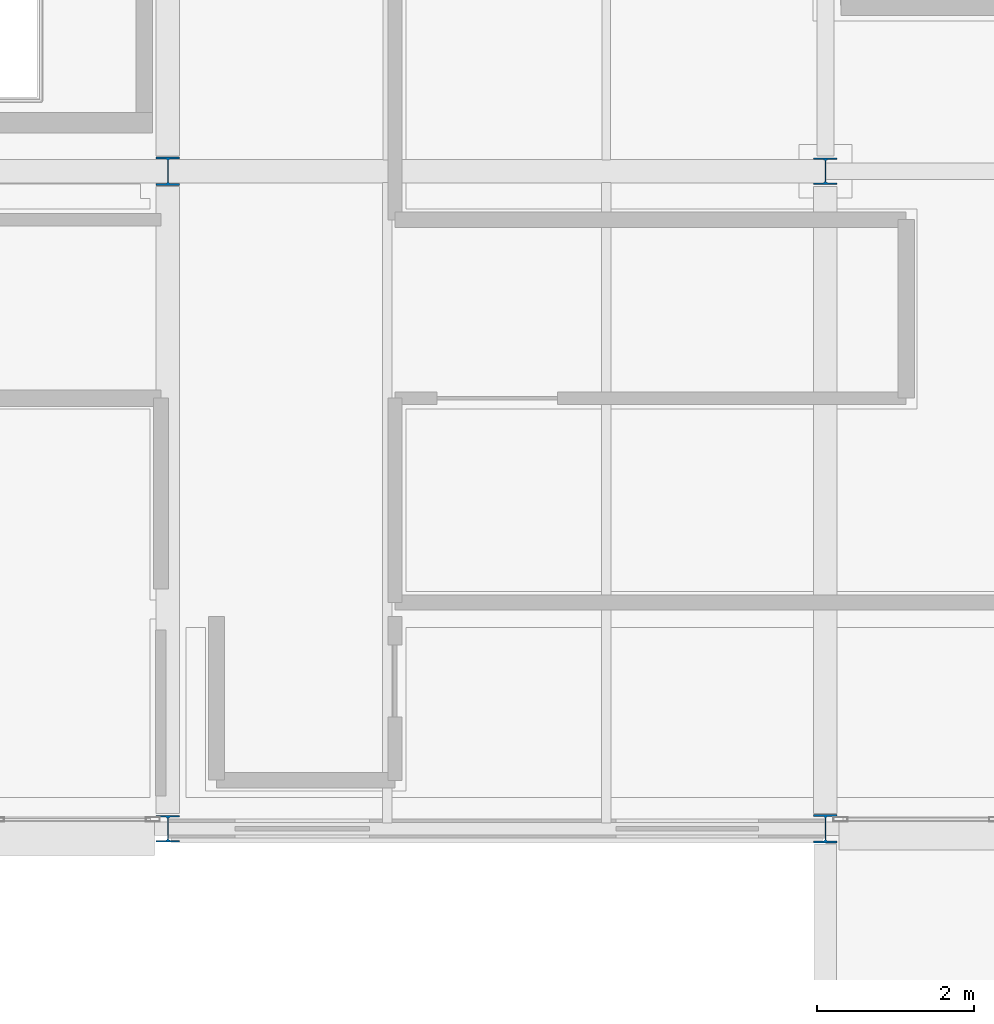
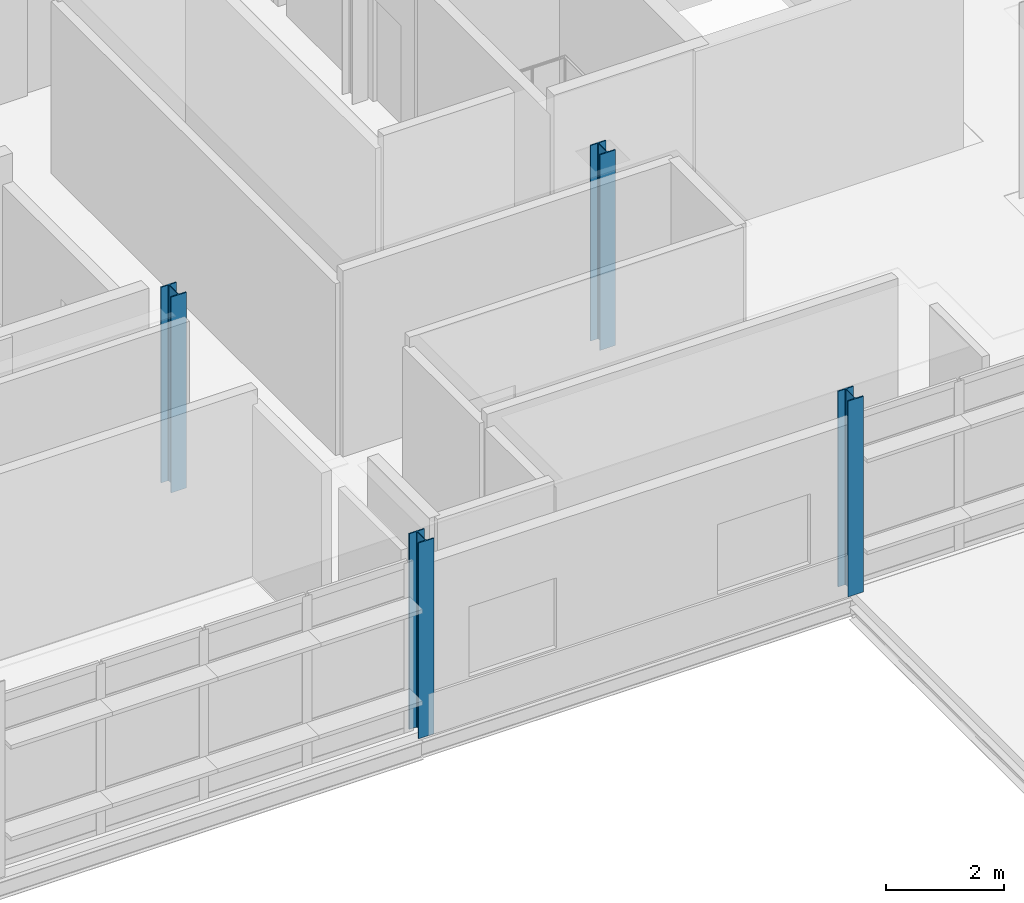
# One storey, part 3 of 57: 4 columns.
"""IFC4 building model written with IfcOpenShell, lengths in metres."""

from ifc_helpers import new_model, si_unit, direction, frame, origin, origin_2d, place, context, subcontext, project, spatial, i_section, extrude, material, material_profile, profile_set, type_object, element, save


model = new_model("IFC4")

# Units and contexts
model_context = context("Model", 3, precision=1e-05, world=origin(), true_north=direction((0.0, 1.0)))
body_context = subcontext(model_context, "Body", "Model", "MODEL_VIEW")
ifc_project = project(units=[si_unit("LENGTHUNIT", "METRE"), si_unit("AREAUNIT", "SQUARE_METRE"), si_unit("VOLUMEUNIT", "CUBIC_METRE"), si_unit("PLANEANGLEUNIT", "RADIAN"), si_unit("MASSUNIT", "GRAM", prefix="KILO")], contexts=[model_context])

# Site, building, storey
site_placement = place(None, origin())
site = spatial("IfcSite", under=ifc_project, at=site_placement, CompositionType="ELEMENT")
building_placement = place(site_placement, origin())
building = spatial("IfcBuilding", under=site, at=building_placement, Name="Mersafa Astral City Hall", CompositionType="ELEMENT")
storey_placement = place(building_placement, frame((0.0, 0.0, 26.10009765625)))
storey = spatial("IfcBuildingStorey", under=building, at=storey_placement, Name="L06", CompositionType="ELEMENT", Elevation=26.10009765625)

# Columns
ifc_material = material(Name="Steel S355", Category="steel")
ifc_material_profile_1 = material_profile(ifc_material, i_section(OverallWidth=0.300048828125, OverallDepth=0.340087890625, WebThickness=0.011962890625, FlangeThickness=0.021484375, FilletRadius=0.027099609375, at=origin_2d()), Name="HEB 340")
ifc_profile_set_1 = profile_set([ifc_material_profile_1], Name="Steel S355")
column_type_1 = type_object("IfcColumnType", Name="STR-COL-HEB340", PredefinedType="COLUMN", material=ifc_profile_set_1)
for number, where, z_axis, x_axis, name in (
    (1, (159.60009765625, 100.800048828125, 0.0), (0.0, 0.0, 1.0), (1.0, 0.0, 0.0), "L06 Structural column G-19-12"),
    (2, (168.0, 109.199951171875, 0.0), (0.0, 0.0, 1.0), (1.0, 0.0, 0.0), "L06 Structural column G-20-13"),
):
    element("IfcColumn", number, at=place(storey_placement, frame(where, z_axis=z_axis, x_axis=x_axis)), inside=storey, type_object=column_type_1, Name=name, PredefinedType="COLUMN", context=body_context, shape_type="SweptSolid", body=[
        extrude(i_section(OverallWidth=0.300048828125, OverallDepth=0.340087890625, WebThickness=0.011962890625, FlangeThickness=0.021484375, FilletRadius=0.027099609375, at=origin_2d()), origin(), (0.0, 0.0, 1.0), 4.0498046875),
    ])
ifc_material_profile_2 = material_profile(ifc_material, i_section(OverallWidth=0.300048828125, OverallDepth=0.360107421875, WebThickness=0.012451171875, FlangeThickness=0.0224609375, FilletRadius=0.027099609375, at=origin_2d()), Name="HEB 360")
ifc_profile_set_2 = profile_set([ifc_material_profile_2], Name="Steel S355")
column_type_2 = type_object("IfcColumnType", Name="STR-COL-HEB360", PredefinedType="COLUMN", material=ifc_profile_set_2)
for number, where, z_axis, x_axis, name in (
    (3, (159.60009765625, 109.199951171875, 0.0), (0.0, 0.0, 1.0), (1.0, 0.0, 0.0), "L06 Structural column G-19-13"),
    (4, (168.0, 100.800048828125, 0.0), (0.0, 0.0, 1.0), (1.0, 0.0, 0.0), "L06 Structural column G-20-12"),
):
    element("IfcColumn", number, at=place(storey_placement, frame(where, z_axis=z_axis, x_axis=x_axis)), inside=storey, type_object=column_type_2, Name=name, PredefinedType="COLUMN", context=body_context, shape_type="SweptSolid", body=[
        extrude(i_section(OverallWidth=0.300048828125, OverallDepth=0.360107421875, WebThickness=0.012451171875, FlangeThickness=0.0224609375, FilletRadius=0.027099609375, at=origin_2d()), origin(), (0.0, 0.0, 1.0), 4.0498046875),
    ])

save(model, "model.ifc")
